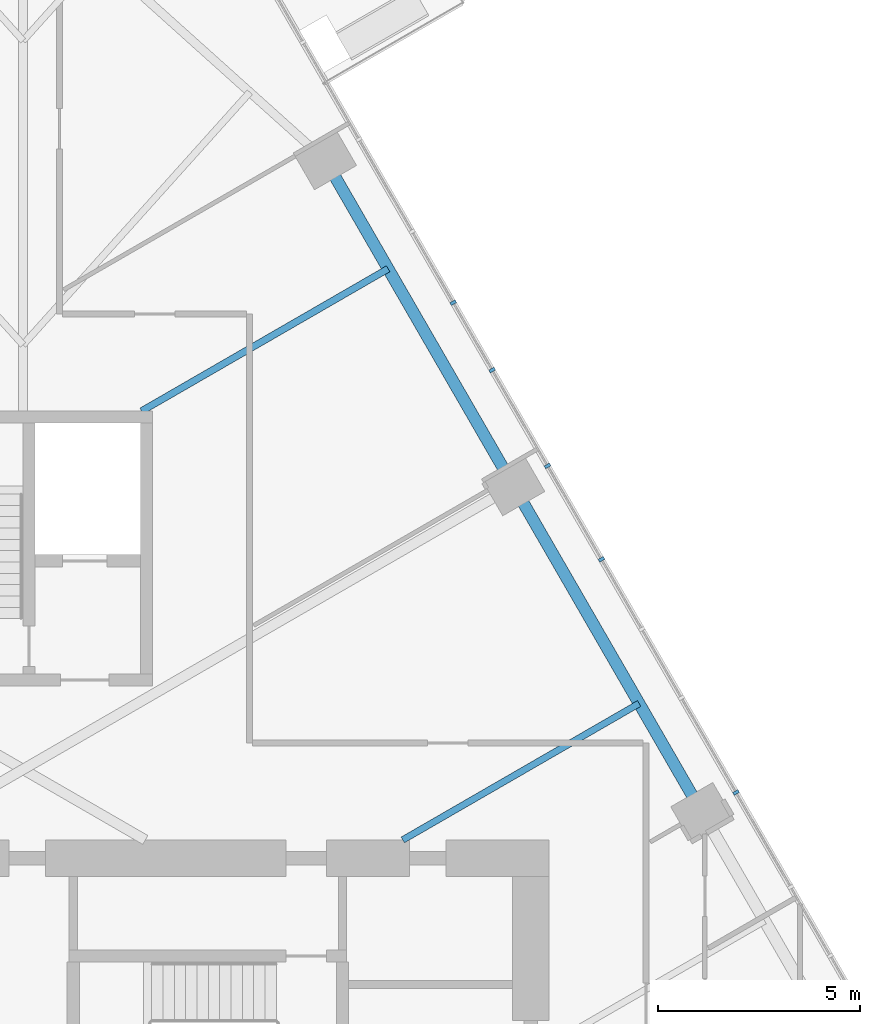
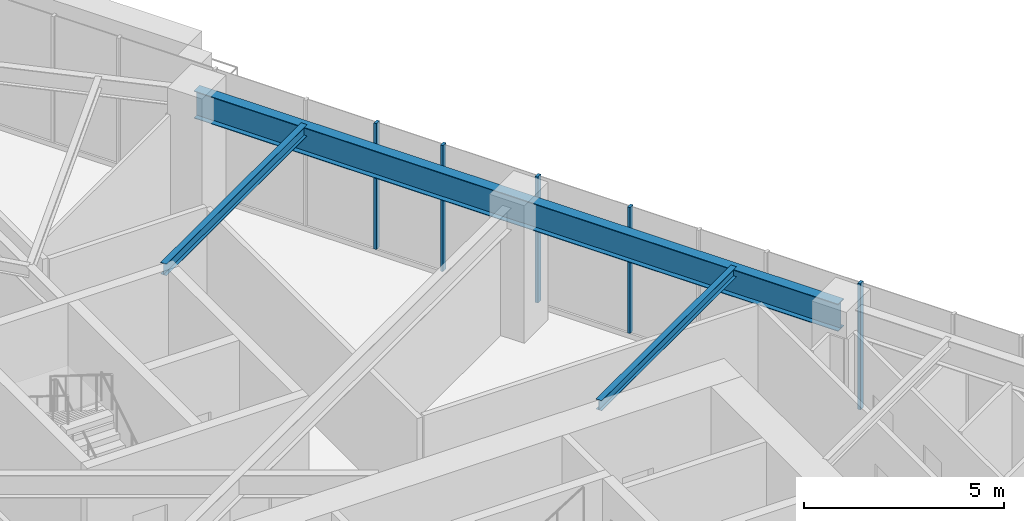
# One storey, part 10 of 25: 5 members, 3 beams, 1 element without a shape of its own.
"""IFC4 building model written with IfcOpenShell, lengths in metres."""

from ifc_helpers import new_model, si_unit, direction, frame, origin, origin_2d, place, context, subcontext, project, spatial, rectangle, i_section, extrude, material, layer, layer_set, material_profile, profile_set, type_object, element, aggregate, save


model = new_model("IFC4")

# Units and contexts
model_context = context("Model", 3, precision=1e-05, world=origin(), true_north=direction((0.0, 1.0)))
body_context = subcontext(model_context, "Body", "Model", "MODEL_VIEW")
ifc_project = project(units=[si_unit("LENGTHUNIT", "METRE"), si_unit("AREAUNIT", "SQUARE_METRE"), si_unit("VOLUMEUNIT", "CUBIC_METRE"), si_unit("PLANEANGLEUNIT", "RADIAN"), si_unit("MASSUNIT", "GRAM", prefix="KILO")], contexts=[model_context])

# Site, building, storey
site_placement = place(None, origin())
site = spatial("IfcSite", under=ifc_project, at=site_placement, CompositionType="ELEMENT")
building_placement = place(site_placement, origin())
building = spatial("IfcBuilding", under=site, at=building_placement, Name="Firuza Gate Tower and Library", CompositionType="ELEMENT")
storey_placement = place(building_placement, frame((0.0, 0.0, 119.800048828125)))
storey = spatial("IfcBuildingStorey", under=building, at=storey_placement, Name="L27", CompositionType="ELEMENT", Elevation=119.800048828125)

# Curtain wall, members
ifc_material_1 = material(Name="Aluminium 6063-T6", Category="aluminium")
ifc_layer = layer(ifc_material_1, 0.14990234375)
ifc_layer_set = layer_set([ifc_layer], Name="Unitised curtain wall, offices")
curtain_wall_type = type_object("IfcCurtainWallType", Name="Unitised curtain wall, offices", PredefinedType="NOTDEFINED", material=ifc_layer_set)
curtain_wall_placement = place(storey_placement, origin())
curtain_wall = element("IfcCurtainWall", 1, at=curtain_wall_placement, inside=storey, type_object=curtain_wall_type, Name="CW1 L27 E face", PredefinedType="NOTDEFINED")
ifc_material_2 = material(Name="Aluminium 6063-T6", Category="aluminium")
ifc_material_profile_1 = material_profile(ifc_material_2, rectangle(XDim=0.14990234375, YDim=0.080078125, at=origin_2d()))
ifc_profile_set_1 = profile_set([ifc_material_profile_1], Name="Aluminium 6063-T6")
member_type = type_object("IfcMemberType", Name="Curtain wall mullion 80x150", PredefinedType="MULLION", material=ifc_profile_set_1)
member_1_placement = place(storey_placement, frame((92.62255859375, 85.17431640625, 0.14990234375), z_axis=(0.0, 0.0, 1.0), x_axis=(-0.866025403784, -0.5, 0.0)))
member_1 = element("IfcMember", 2, at=member_1_placement, type_object=member_type, Name="Mullion", PredefinedType="MULLION", context=body_context, shape_type="SweptSolid", body=[
    extrude(rectangle(XDim=0.14990234375, YDim=0.080078125, at=origin_2d()), origin(), (0.0, 0.0, 1.0), 3.85009765625),
])
member_2_placement = place(storey_placement, frame((87.962890625, 93.245361328125, 0.14990234375), z_axis=(0.0, 0.0, 1.0), x_axis=(-0.866025403784, -0.5, 0.0)))
member_2 = element("IfcMember", 3, at=member_2_placement, type_object=member_type, Name="Mullion", PredefinedType="MULLION", context=body_context, shape_type="SweptSolid", body=[
    extrude(rectangle(XDim=0.14990234375, YDim=0.080078125, at=origin_2d()), origin(), (0.0, 0.0, 1.0), 3.85009765625),
])
member_3_placement = place(storey_placement, frame((85.6328125, 97.28076171875, 0.14990234375), z_axis=(0.0, 0.0, 1.0), x_axis=(-0.866025403784, -0.5, 0.0)))
member_3 = element("IfcMember", 4, at=member_3_placement, type_object=member_type, Name="Mullion", PredefinedType="MULLION", context=body_context, shape_type="SweptSolid", body=[
    extrude(rectangle(XDim=0.14990234375, YDim=0.080078125, at=origin_2d()), origin(), (0.0, 0.0, 1.0), 3.85009765625),
])
member_4_placement = place(storey_placement, frame((89.295654296875, 90.9365234375, 0.14990234375), z_axis=(0.0, 0.0, 1.0), x_axis=(-0.866025403784, -0.5, 0.0)))
member_4 = element("IfcMember", 5, at=member_4_placement, type_object=member_type, Name="Mullion", PredefinedType="MULLION", context=body_context, shape_type="SweptSolid", body=[
    extrude(rectangle(XDim=0.14990234375, YDim=0.080078125, at=origin_2d()), origin(), (0.0, 0.0, 1.0), 3.85009765625),
])
member_5_placement = place(storey_placement, frame((86.59521484375, 95.6142578125, 0.14990234375), z_axis=(0.0, 0.0, 1.0), x_axis=(-0.866025403784, -0.5, 0.0)))
member_5 = element("IfcMember", 6, at=member_5_placement, type_object=member_type, Name="Mullion", PredefinedType="MULLION", context=body_context, shape_type="SweptSolid", body=[
    extrude(rectangle(XDim=0.14990234375, YDim=0.080078125, at=origin_2d()), origin(), (0.0, 0.0, 1.0), 3.85009765625),
])
aggregate(curtain_wall, [member_1, member_2, member_3, member_4, member_5])

# Beams
ifc_material_3 = material(Name="Steel S355", Category="steel")
ifc_material_profile_2 = material_profile(ifc_material_3, i_section(OverallWidth=0.1650390625, OverallDepth=0.31005859375, WebThickness=0.005859375, FlangeThickness=0.009765625, at=origin_2d()))
ifc_profile_set_2 = profile_set([ifc_material_profile_2], Name="Steel S355")
beam_type_1 = type_object("IfcBeamType", Name="W310x39 Floor beam", PredefinedType="JOIST", material=ifc_profile_set_2)
beam_1_placement = place(storey_placement, frame((90.227294921875, 87.373046875, 3.844970703125), z_axis=(-0.866025277505, -0.500000218722, 0.0), x_axis=(0.500000218722, -0.866025277505, 0.0)))
element("IfcBeam", 7, at=beam_1_placement, inside=storey, type_object=beam_type_1, Name="Floor beam L27 s53", PredefinedType="JOIST", context=body_context, shape_type="SweptSolid", body=[
    extrude(i_section(OverallWidth=0.1650390625, OverallDepth=0.31005859375, WebThickness=0.005859375, FlangeThickness=0.009765625, at=origin_2d()), origin(), (0.0, 0.0, 1.0), 6.74609375),
])
ifc_material_4 = material(Name="Steel S355", Category="steel")
ifc_material_profile_3 = material_profile(ifc_material_4, i_section(OverallWidth=0.1708984375, OverallDepth=0.35498046875, WebThickness=0.007080078125, FlangeThickness=0.01171875, at=origin_2d()))
ifc_profile_set_3 = profile_set([ifc_material_profile_3], Name="Steel S355")
beam_type_2 = type_object("IfcBeamType", Name="W360x51 Floor beam", PredefinedType="JOIST", material=ifc_profile_set_3)
beam_2_placement = place(storey_placement, frame((84.02392578125, 98.11767578125, 3.822509765625), z_axis=(-0.866022037233, -0.500005830994, 0.0), x_axis=(0.500005830994, -0.866022037233, 0.0)))
element("IfcBeam", 8, at=beam_2_placement, inside=storey, type_object=beam_type_2, Name="Floor beam L27 s55", PredefinedType="JOIST", context=body_context, shape_type="SweptSolid", body=[
    extrude(i_section(OverallWidth=0.1708984375, OverallDepth=0.35498046875, WebThickness=0.007080078125, FlangeThickness=0.01171875, at=origin_2d()), origin(), (0.0, 0.0, 1.0), 7.03515625),
])
ifc_material_5 = material(Name="Steel S355", Category="steel")
ifc_material_profile_4 = material_profile(ifc_material_5, i_section(OverallWidth=0.2919921875, OverallDepth=0.8349609375, WebThickness=0.013916015625, FlangeThickness=0.018798828125, at=origin_2d()))
ifc_profile_set_4 = profile_set([ifc_material_profile_4], Name="Steel S355")
beam_type_3 = type_object("IfcBeamType", Name="W840x176 Edge beam", PredefinedType="SPANDREL", material=ifc_profile_set_4)
beam_3_placement = place(storey_placement, frame((91.778076171875, 84.686767578125, 3.58251953125), z_axis=(-0.499992345027, 0.86602982334, 0.0), x_axis=(-0.86602982334, -0.499992345027, 0.0)))
element("IfcBeam", 9, at=beam_3_placement, inside=storey, type_object=beam_type_3, Name="Edge beam L27 e52", PredefinedType="SPANDREL", context=body_context, shape_type="SweptSolid", body=[
    extrude(i_section(OverallWidth=0.2919921875, OverallDepth=0.8349609375, WebThickness=0.013916015625, FlangeThickness=0.018798828125, at=origin_2d()), origin(), (0.0, 0.0, 1.0), 18.610107421875),
])

save(model, "model.ifc")
